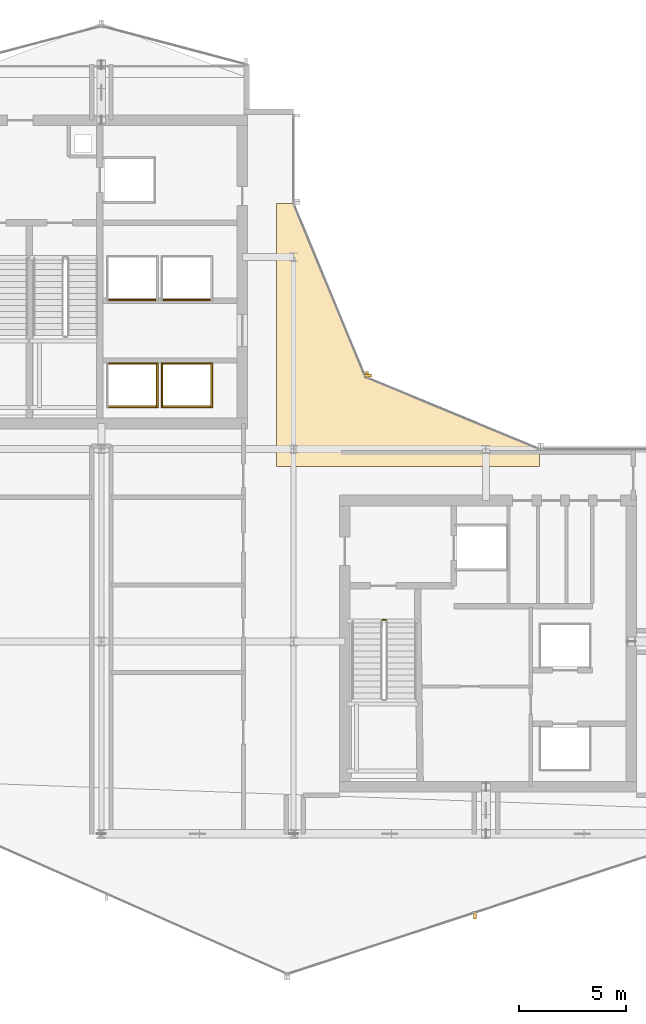
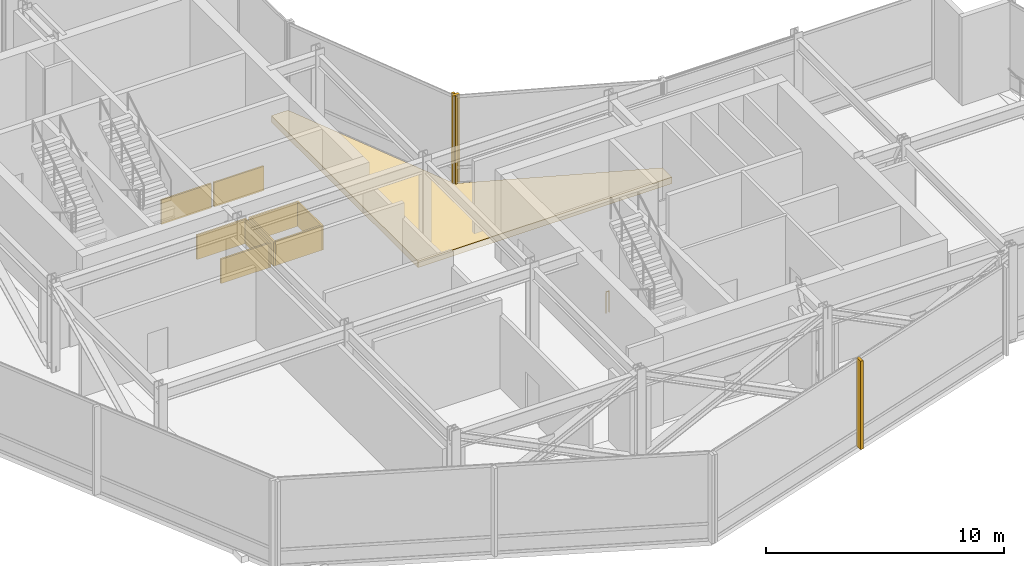
# One storey, part 28 of 30: 10 coverings, 3 shading devices, 1 railing.
"""IFC4 building model written with IfcOpenShell, lengths in metres."""

from ifc_helpers import new_model, si_unit, direction, frame, origin, origin_2d, place, context, subcontext, project, spatial, polyline, rectangle, circle, outline, extrude, material, layer, layer_set, type_object, element, save


model = new_model("IFC4")

# Units and contexts
model_context = context("Model", 3, precision=1e-05, world=origin(), true_north=direction((0.0, 1.0)))
body_context = subcontext(model_context, "Body", "Model", "MODEL_VIEW")
ifc_project = project(units=[si_unit("LENGTHUNIT", "METRE"), si_unit("AREAUNIT", "SQUARE_METRE"), si_unit("VOLUMEUNIT", "CUBIC_METRE"), si_unit("PLANEANGLEUNIT", "RADIAN"), si_unit("MASSUNIT", "GRAM", prefix="KILO")], contexts=[model_context])

# Site, building, storey
site_placement = place(None, origin())
site = spatial("IfcSite", under=ifc_project, at=site_placement, CompositionType="ELEMENT")
building_placement = place(site_placement, origin())
building = spatial("IfcBuilding", under=site, at=building_placement, Name="Solvaryn Broadcast Tower", CompositionType="ELEMENT")
storey_placement = place(building_placement, frame((0.0, 0.0, 196.39990234375)))
storey = spatial("IfcBuildingStorey", under=building, at=storey_placement, Name="L49", CompositionType="ELEMENT", Elevation=196.39990234375)

# Coverings
ifc_material_1 = material(Name="Fire-Rated Gypsum Shaftwall Liner", Category="concrete")
ifc_layer_1 = layer(ifc_material_1, 0.080078125)
ifc_layer_set_1 = layer_set([ifc_layer_1], Name="CV-SHAFT-LINER")
covering_type_1 = type_object("IfcCoveringType", Name="CV-SHAFT-LINER", PredefinedType="CLADDING", material=ifc_layer_set_1)
for number, where, z_axis, x_axis, name in (
    (1, (19.449951171875, 31.014892578125, 0.0), (0.0, 0.0, 1.0), (1.0, 0.0, 0.0), "L49 PH1 Hoistway Shaft Liner North"),
    (2, (19.449951171875, 28.985107421875, 0.0), (0.0, 0.0, 1.0), (1.0, 0.0, 0.0), "L49 PH1 Hoistway Shaft Liner South"),
):
    element("IfcCovering", number, at=place(storey_placement, frame(where, z_axis=z_axis, x_axis=x_axis)), inside=storey, type_object=covering_type_1, Name=name, PredefinedType="CLADDING", context=body_context, shape_type="SweptSolid", body=[
        extrude(rectangle(XDim=2.409912109375, YDim=0.080078125, at=origin_2d()), origin(), (0.0, 0.0, 1.0), 1.25),
    ])
covering_1_placement = place(storey_placement, frame((20.614990234375, 30.0, 0.0), z_axis=(0.0, 0.0, 1.0), x_axis=(1.0, 0.0, 0.0)))
element("IfcCovering", 3, at=covering_1_placement, inside=storey, type_object=covering_type_1, Name="L49 PH1 Hoistway Shaft Liner East", PredefinedType="CLADDING", context=body_context, shape_type="SweptSolid", body=[
    extrude(rectangle(XDim=0.080078125, YDim=2.110107421875, at=origin_2d()), origin(), (0.0, 0.0, 1.0), 1.25),
])
for number, where, z_axis, x_axis, name in (
    (4, (22.0, 31.014892578125, 0.0), (0.0, 0.0, 1.0), (1.0, 0.0, 0.0), "L49 PH2 Hoistway Shaft Liner North"),
    (5, (22.0, 28.985107421875, 0.0), (0.0, 0.0, 1.0), (1.0, 0.0, 0.0), "L49 PH2 Hoistway Shaft Liner South"),
):
    element("IfcCovering", number, at=place(storey_placement, frame(where, z_axis=z_axis, x_axis=x_axis)), inside=storey, type_object=covering_type_1, Name=name, PredefinedType="CLADDING", context=body_context, shape_type="SweptSolid", body=[
        extrude(rectangle(XDim=2.409912109375, YDim=0.080078125, at=origin_2d()), origin(), (0.0, 0.0, 1.0), 1.25),
    ])
for number, where, z_axis, x_axis, name in (
    (6, (23.1650390625, 30.0, 0.0), (0.0, 0.0, 1.0), (1.0, 0.0, 0.0), "L49 PH2 Hoistway Shaft Liner East"),
    (7, (20.8349609375, 30.0, 0.0), (0.0, 0.0, 1.0), (1.0, 0.0, 0.0), "L49 PH2 Hoistway Shaft Liner West"),
):
    element("IfcCovering", number, at=place(storey_placement, frame(where, z_axis=z_axis, x_axis=x_axis)), inside=storey, type_object=covering_type_1, Name=name, PredefinedType="CLADDING", context=body_context, shape_type="SweptSolid", body=[
        extrude(rectangle(XDim=0.080078125, YDim=2.110107421875, at=origin_2d()), origin(), (0.0, 0.0, 1.0), 1.25),
    ])
for number, where, z_axis, x_axis, name in (
    (8, (19.449951171875, 33.985107421875, 0.0), (0.0, 0.0, 1.0), (1.0, 0.0, 0.0), "L49 PH3 Hoistway Shaft Liner South"),
    (9, (22.0, 33.985107421875, 0.0), (0.0, 0.0, 1.0), (1.0, 0.0, 0.0), "L49 PH4 Hoistway Shaft Liner South"),
):
    element("IfcCovering", number, at=place(storey_placement, frame(where, z_axis=z_axis, x_axis=x_axis)), inside=storey, type_object=covering_type_1, Name=name, PredefinedType="CLADDING", context=body_context, shape_type="SweptSolid", body=[
        extrude(rectangle(XDim=2.409912109375, YDim=0.080078125, at=origin_2d()), origin(), (0.0, 0.0, 1.0), 1.25),
    ])
ifc_material_2 = material(Name="Sculpted Architectural Terracotta Wave Fascia", Category="masonry")
ifc_layer_2 = layer(ifc_material_2, 0.340087890625)
ifc_layer_set_2 = layer_set([ifc_layer_2], Name="CV-WAVE-TRAY")
covering_type_2 = type_object("IfcCoveringType", Name="CV-WAVE-TRAY", PredefinedType="CLADDING", material=ifc_layer_set_2)
covering_2_placement = place(storey_placement, frame((0.0, 0.0, -0.2998046875)))
element("IfcCovering", 10, at=covering_2_placement, inside=storey, type_object=covering_type_2, Name="L49 Concave Canyon Floor Apron", PredefinedType="CLADDING", context=body_context, shape_type="SweptSolid", body=[
    extrude(outline(polyline([(26.199951171875, 26.199951171875), (38.5, 26.199951171875), (38.5, 27.0), (30.367919921875, 30.367919921875), (27.0, 38.5), (26.199951171875, 38.5), (26.199951171875, 26.199951171875)])), origin(), (0.0, 0.0, 1.0), 0.329833984375),
])

# Railing
ifc_material_3 = material(Name="Painted Steel Stair Well Guard", Category="steel")
railing_type = type_object("IfcRailingType", Name="RL-STAIR-GUARD", PredefinedType="BALUSTRADE", material=ifc_material_3)
railing_placement = place(storey_placement, frame((31.159912109375, 19.010009765625, 0.0)))
element("IfcRailing", 11, at=railing_placement, inside=storey, type_object=railing_type, Name="L49 ST3 stair guard 4", PredefinedType="BALUSTRADE", context=body_context, shape_type="SweptSolid", body=[
    extrude(circle(Radius=0.02392578125, at=origin_2d()), frame((0.0, 0.0, 1.076171875), z_axis=(1.0, 0.0, 0.0), x_axis=(0.0, 1.0, 0.0)), (0.0, 0.0, 1.0), 0.150146484375),
    extrude(circle(Radius=0.02099609375, at=origin_2d()), origin(), (0.0, 0.0, 1.0), 1.052001953125),
    extrude(circle(Radius=0.02099609375, at=origin_2d()), frame((0.150146484375, 0.0, 0.0)), (0.0, 0.0, 1.0), 1.052001953125),
])

# Shading devices
ifc_material_4 = material(Name="Anodised Aluminium Acoustic Louvre", Category="aluminium")
shading_device_type = type_object("IfcShadingDeviceType", Name="LV-01 Plant Intake Louvre", PredefinedType="USERDEFINED", material=ifc_material_4)
for number, where, z_axis, x_axis, name in (
    (12, (35.4814453125, 5.18408203125, 0.0), (0.0, 0.0, 1.0), (1.0, 0.0, 0.0), "L49 Plant Acoustic Louvre LV-CW-L49-DR4/M01"),
    (13, (30.441650390625, 30.467529296875, 0.0), (0.0, 0.0, 1.0), (1.0, 0.0, 0.0), "L49 Plant Acoustic Louvre LV-CW-L49-CN1/M01"),
):
    element("IfcShadingDevice", number, at=place(storey_placement, frame(where, z_axis=z_axis, x_axis=x_axis)), inside=storey, type_object=shading_device_type, Name=name, ObjectType="LOUVRE", PredefinedType="USERDEFINED", context=body_context, shape_type="SweptSolid", body=[
        extrude(rectangle(XDim=0.139892578125, YDim=0.340087890625, at=origin_2d()), origin(), (0.0, 0.0, 1.0), 4.52001953125),
    ])
shading_device_placement = place(storey_placement, frame((30.467529296875, 30.441650390625, 0.0), z_axis=(0.0, 0.0, 1.0), x_axis=(1.0, 0.0, 0.0)))
element("IfcShadingDevice", 14, at=shading_device_placement, inside=storey, type_object=shading_device_type, Name="L49 Plant Acoustic Louvre LV-CW-L49-CN2/M00", ObjectType="LOUVRE", PredefinedType="USERDEFINED", context=body_context, shape_type="SweptSolid", body=[
    extrude(rectangle(XDim=0.340087890625, YDim=0.139892578125, at=origin_2d()), origin(), (0.0, 0.0, 1.0), 4.52001953125),
])

save(model, "model.ifc")
